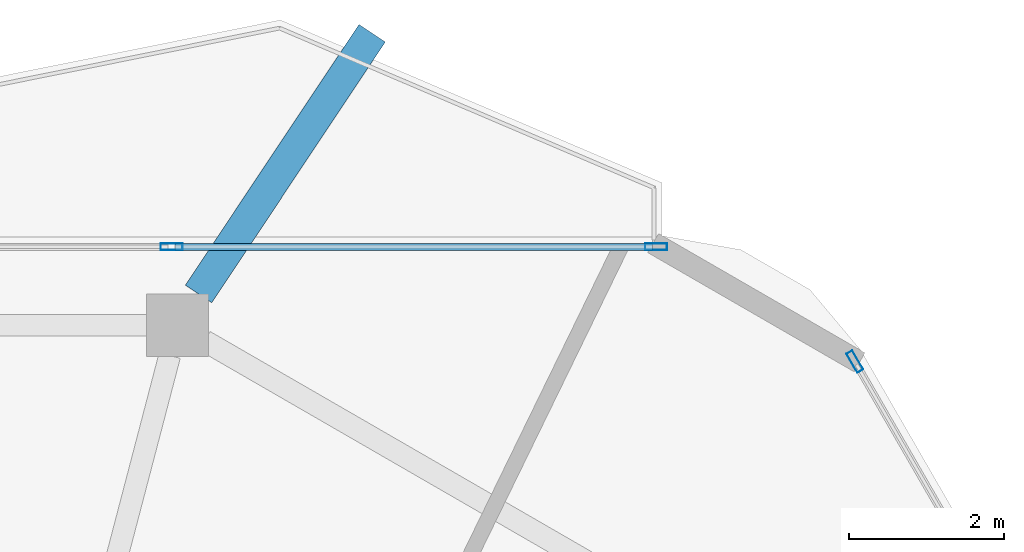
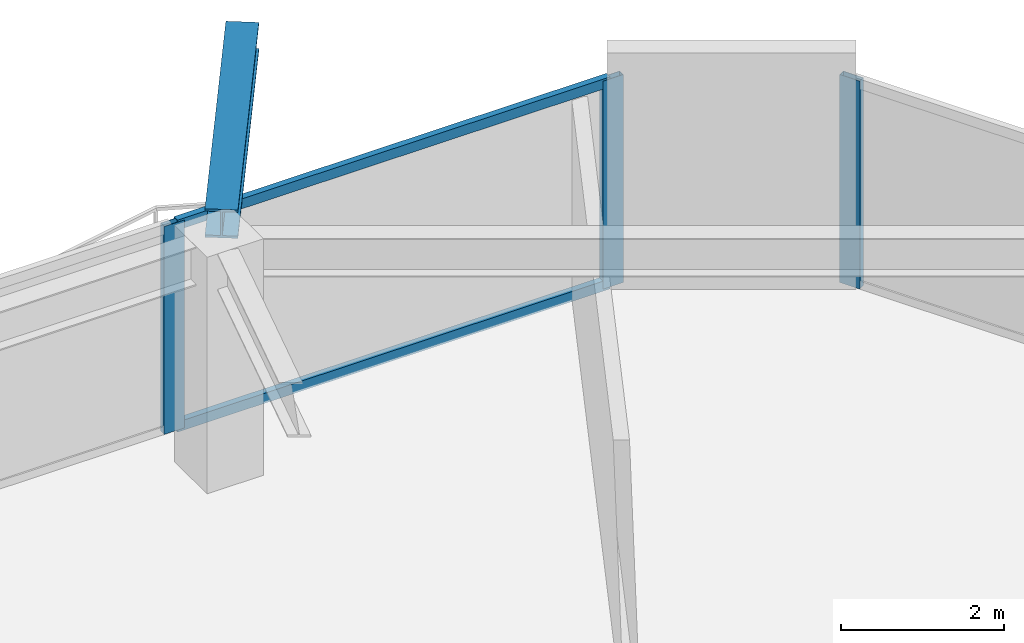
# One storey, part 12 of 20: 5 members, 1 beam, 2 elements without a shape of their own.
"""IFC4 building model written with IfcOpenShell, lengths in metres."""

from ifc_helpers import new_model, si_unit, direction, frame, origin, origin_2d, place, context, subcontext, project, spatial, hollow_rectangle, i_section, extrude, material, material_profile, profile_set, type_object, element, aggregate, save


model = new_model("IFC4")

# Units and contexts
model_context = context("Model", 3, precision=1e-05, world=origin(), true_north=direction((0.0, 1.0)))
body_context = subcontext(model_context, "Body", "Model", "MODEL_VIEW")
ifc_project = project(units=[si_unit("LENGTHUNIT", "METRE"), si_unit("AREAUNIT", "SQUARE_METRE"), si_unit("VOLUMEUNIT", "CUBIC_METRE"), si_unit("PLANEANGLEUNIT", "RADIAN"), si_unit("MASSUNIT", "GRAM", prefix="KILO")], contexts=[model_context])

# Site, building, storey
site_placement = place(None, origin())
site = spatial("IfcSite", under=ifc_project, at=site_placement, CompositionType="ELEMENT")
building_placement = place(site_placement, origin())
building = spatial("IfcBuilding", under=site, at=building_placement, Name="Zuhravey Tower", CompositionType="ELEMENT")
storey_placement = place(building_placement, frame((0.0, 0.0, 312.0)))
storey = spatial("IfcBuildingStorey", under=building, at=storey_placement, Name="L79", CompositionType="ELEMENT", Elevation=312.0)

# Curtain wall, members
ifc_material_1 = material(Name="Thermally broken anodised aluminium", Category="aluminium")
curtain_wall_type = type_object("IfcCurtainWallType", Name="Zone 3-4 High-Rise Curtain Wall CW4", PredefinedType="NOTDEFINED", material=ifc_material_1)
curtain_wall_1_placement = place(storey_placement, origin())
curtain_wall_1 = element("IfcCurtainWall", 1, at=curtain_wall_1_placement, inside=storey, type_object=curtain_wall_type, Name="L79 CW4 CW-L79-F2-2", PredefinedType="NOTDEFINED")
ifc_material_2 = material(Name="Anodised aluminium", Category="aluminium")
ifc_material_profile_1 = material_profile(ifc_material_2, hollow_rectangle(XDim=0.090087890625, YDim=0.284912109375, WallThickness=0.0048828125, at=origin_2d()), Name="ALU-RHS-90x285x5")
ifc_profile_set_1 = profile_set([ifc_material_profile_1], Name="Anodised aluminium")
member_type_1 = type_object("IfcMemberType", Name="Curtain-Wall Mullion 90x180", PredefinedType="MULLION", material=ifc_profile_set_1)
member_1_placement = place(storey_placement, frame((41.9619140625, 56.07421875, 0.0), z_axis=(0.0, 0.0, 1.0), x_axis=(0.0, 1.0, 0.0)))
member_1 = element("IfcMember", 2, at=member_1_placement, type_object=member_type_1, Name="CW4 mullion 3", PredefinedType="MULLION", context=body_context, shape_type="SweptSolid", body=[
    extrude(hollow_rectangle(XDim=0.090087890625, YDim=0.284912109375, WallThickness=0.0048828125, at=origin_2d()), origin(), (0.0, 0.0, 1.0), 3.1220703125),
])
member_2_placement = place(storey_placement, frame((48.1943359375, 56.07421875, 0.0), z_axis=(0.0, 0.0, 1.0), x_axis=(0.0, 1.0, 0.0)))
member_2 = element("IfcMember", 3, at=member_2_placement, type_object=member_type_1, Name="CW4 mullion 4", PredefinedType="MULLION", context=body_context, shape_type="SweptSolid", body=[
    extrude(hollow_rectangle(XDim=0.090087890625, YDim=0.284912109375, WallThickness=0.0048828125, at=origin_2d()), origin(), (0.0, 0.0, 1.0), 3.1220703125),
])

# Curtain wall, member
curtain_wall_2_placement = place(storey_placement, origin())
curtain_wall_2 = element("IfcCurtainWall", 4, at=curtain_wall_2_placement, inside=storey, type_object=curtain_wall_type, Name="L79 CW4 CW-L79-F1-1", PredefinedType="NOTDEFINED")
member_3_placement = place(storey_placement, frame((50.751708984375, 54.59765625, 0.0), z_axis=(0.0, 0.0, 1.0), x_axis=(0.866025511541, 0.49999981336, 0.0)))
member_3 = element("IfcMember", 5, at=member_3_placement, type_object=member_type_1, Name="CW4 mullion 1", PredefinedType="MULLION", context=body_context, shape_type="SweptSolid", body=[
    extrude(hollow_rectangle(XDim=0.090087890625, YDim=0.284912109375, WallThickness=0.0048828125, at=origin_2d()), origin(), (0.0, 0.0, 1.0), 3.1220703125),
])
aggregate(curtain_wall_2, [member_3])

# Member
ifc_material_profile_2 = material_profile(ifc_material_2, hollow_rectangle(XDim=0.090087890625, YDim=0.14990234375, WallThickness=0.0048828125, at=origin_2d()), Name="ALU-RHS-90x150x5")
ifc_profile_set_2 = profile_set([ifc_material_profile_2], Name="Anodised aluminium")
member_type_2 = type_object("IfcMemberType", Name="Curtain-Wall Transom 90x150", PredefinedType="USERDEFINED", material=ifc_profile_set_2)
member_4_placement = place(storey_placement, frame((42.0068359375, 56.07421875, 0.044921875), z_axis=(1.0, 0.0, 0.0), x_axis=(0.0, 1.0, 0.0)))
member_4 = element("IfcMember", 6, at=member_4_placement, type_object=member_type_2, Name="CW4 transom 3.1", ObjectType="TRANSOM", PredefinedType="USERDEFINED", context=body_context, shape_type="SweptSolid", body=[
    extrude(hollow_rectangle(XDim=0.090087890625, YDim=0.14990234375, WallThickness=0.0048828125, at=origin_2d()), origin(), (0.0, 0.0, 1.0), 6.142578125),
])

member_5_placement = place(storey_placement, frame((42.0068359375, 56.07421875, 3.076904296875), z_axis=(1.0, 0.0, 0.0), x_axis=(0.0, 1.0, 0.0)))
member_5 = element("IfcMember", 7, at=member_5_placement, type_object=member_type_2, Name="CW4 transom 3.2", ObjectType="TRANSOM", PredefinedType="USERDEFINED", context=body_context, shape_type="SweptSolid", body=[
    extrude(hollow_rectangle(XDim=0.090087890625, YDim=0.14990234375, WallThickness=0.0048828125, at=origin_2d()), origin(), (0.0, 0.0, 1.0), 6.142578125),
])

aggregate(curtain_wall_1, [member_1, member_2, member_4, member_5])

# Beam
ifc_material_3 = material(Name="Steel SM460", Category="steel")
ifc_material_profile_3 = material_profile(ifc_material_3, i_section(OverallWidth=0.406982421875, OverallDepth=0.427978515625, WebThickness=0.02001953125, FlangeThickness=0.034912109375, at=origin_2d()), Name="H-428x407x20x35")
ifc_profile_set_3 = profile_set([ifc_material_profile_3], Name="Steel SM460")
beam_type = type_object("IfcBeamType", Name="Exoskeleton Node Tie Beam H428x407", PredefinedType="BEAM", material=ifc_profile_set_3)
beam_placement = place(storey_placement, frame((42.307373046875, 55.467529296875, 3.3359375), z_axis=(0.554336643852, 0.832292547896, 0.0), x_axis=(-0.832292547896, 0.554336643852, 0.0)))
element("IfcBeam", 8, at=beam_placement, inside=storey, type_object=beam_type, Name="L79 Exoskeleton Node Tie NT1-03", PredefinedType="BEAM", context=body_context, shape_type="SweptSolid", body=[
    extrude(i_section(OverallWidth=0.406982421875, OverallDepth=0.427978515625, WebThickness=0.02001953125, FlangeThickness=0.034912109375, at=origin_2d()), origin(), (0.0, 0.0, 1.0), 4.02978515625),
])

save(model, "model.ifc")
